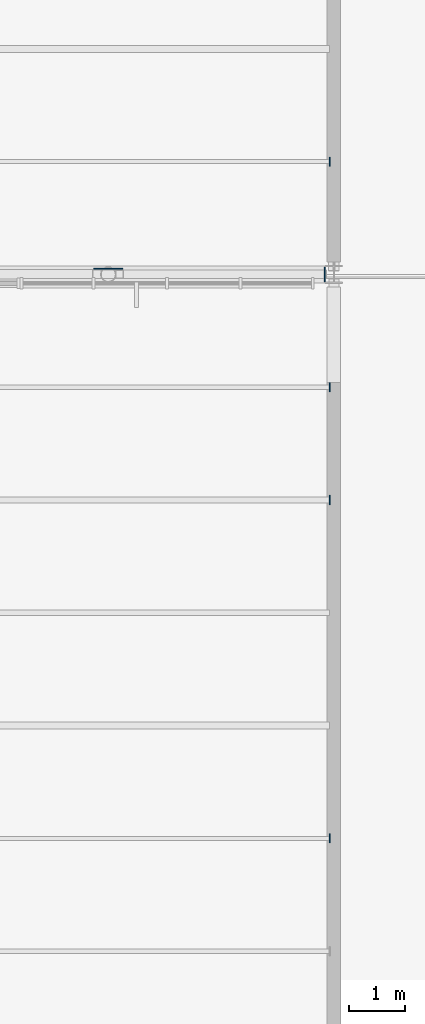
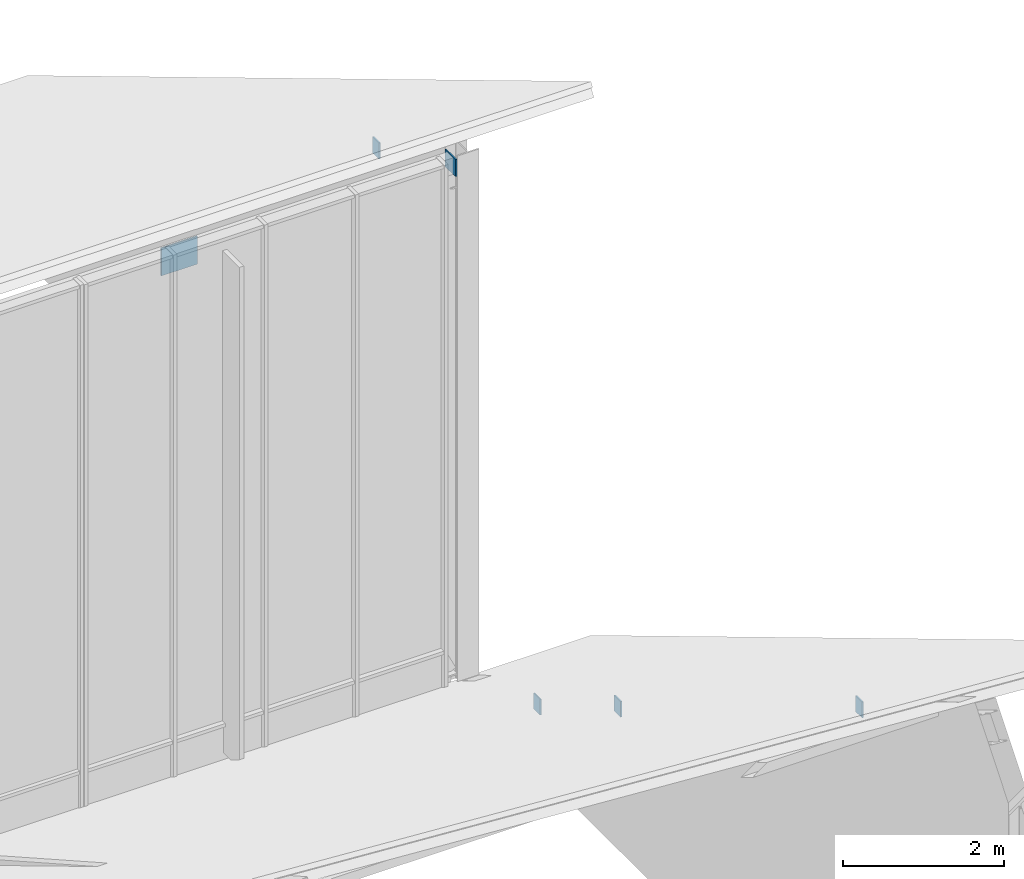
# One storey, part 89 of 155: 6 plates.
"""IFC4 building model written with IfcOpenShell, lengths in metres."""

from ifc_helpers import new_model, si_unit, direction, frame, origin, origin_2d, place, context, subcontext, project, spatial, rectangle, extrude, material, layer, layer_set, type_object, element, save


model = new_model("IFC4")

# Units and contexts
model_context = context("Model", 3, precision=1e-05, world=origin(), true_north=direction((0.0, 1.0)))
body_context = subcontext(model_context, "Body", "Model", "MODEL_VIEW")
ifc_project = project(units=[si_unit("LENGTHUNIT", "METRE"), si_unit("AREAUNIT", "SQUARE_METRE"), si_unit("VOLUMEUNIT", "CUBIC_METRE"), si_unit("PLANEANGLEUNIT", "RADIAN"), si_unit("MASSUNIT", "GRAM", prefix="KILO")], contexts=[model_context])

# Site, building, storey
site_placement = place(None, origin())
site = spatial("IfcSite", under=ifc_project, at=site_placement, CompositionType="ELEMENT")
building_placement = place(site_placement, origin())
building = spatial("IfcBuilding", under=site, at=building_placement, Name="Larkveld Mobility Hub", CompositionType="ELEMENT")
storey_placement = place(building_placement, frame((0.0, 0.0, 8.39990234375)))
storey = spatial("IfcBuildingStorey", under=building, at=storey_placement, Name="L02", CompositionType="ELEMENT", Elevation=8.39990234375)

# Plates
ifc_material = material(Name="Steel S355JR", Category="steel")
ifc_layer_1 = layer(ifc_material, 0.02001953125, Name="Steel S355JR", Category="steel")
ifc_layer_set_1 = layer_set([ifc_layer_1], Name="Steel S355JR")
plate_type_1 = type_object("IfcPlateType", Name="PT-EC02", PredefinedType="USERDEFINED", material=ifc_layer_set_1)
plate_1_placement = place(storey_placement, frame((183.840087890625, 42.0, 7.8203125), z_axis=(0.0, 0.0, 1.0), x_axis=(1.0, 0.0, 0.0)))
element("IfcPlate", 1, at=plate_1_placement, inside=storey, type_object=plate_type_1, Name="Hollow Chord End Cap Plate EC-018", ObjectType="GUSSET PLATE", PredefinedType="USERDEFINED", context=body_context, shape_type="SweptSolid", body=[
    extrude(rectangle(XDim=0.02001953125, YDim=0.260009765625, at=origin_2d()), origin(), (0.0, 0.0, 1.0), 0.260009765625),
])
for number, where, z_axis, x_axis, name in (
    (2, (183.927978515625, 32.0, 5.6171875), (0.0, 0.0, 1.0), (1.0, 0.0, 0.0), "Hollow Purlin End Cap Plate PEC-079"),
    (3, (183.927978515625, 38.0, 1.9873046875), (0.0, 0.0, 1.0), (1.0, 0.0, 0.0), "Hollow Purlin End Cap Plate PEC-087"),
    (4, (183.927978515625, 40.0, 0.80712890625), (0.0, 0.0, 1.0), (1.0, 0.0, 0.0), "Hollow Purlin End Cap Plate PEC-095"),
    (5, (183.927978515625, 44.0, 6.81689453125), (0.0, 0.0, 1.0), (1.0, 0.0, 0.0), "Hollow Purlin End Cap Plate PEC-103"),
):
    element("IfcPlate", number, at=place(storey_placement, frame(where, z_axis=z_axis, x_axis=x_axis)), inside=storey, type_object=plate_type_1, Name=name, ObjectType="GUSSET PLATE", PredefinedType="USERDEFINED", context=body_context, shape_type="SweptSolid", body=[
        extrude(rectangle(XDim=0.02001953125, YDim=0.159912109375, at=origin_2d()), origin(), (0.0, 0.0, 1.0), 0.239990234375),
    ])
ifc_layer_2 = layer(ifc_material, 0.02001953125, Name="Steel S355JR", Category="steel")
ifc_layer_set_2 = layer_set([ifc_layer_2], Name="Steel S355JR")
plate_type_2 = type_object("IfcPlateType", Name="PT-GS01", PredefinedType="USERDEFINED", material=ifc_layer_set_2)
plate_2_placement = place(storey_placement, frame((180.0, 42.10009765625, 7.615234375), z_axis=(0.0, 0.0, 1.0), x_axis=(1.0, 0.0, 0.0)))
element("IfcPlate", 6, at=plate_2_placement, inside=storey, type_object=plate_type_2, Name="Truss Node Gusset Plate TN-016", ObjectType="GUSSET PLATE", PredefinedType="USERDEFINED", context=body_context, shape_type="SweptSolid", body=[
    extrude(rectangle(XDim=0.52001953125, YDim=0.02001953125, at=origin_2d()), origin(), (0.0, 0.0, 1.0), 0.419921875),
])

save(model, "model.ifc")
